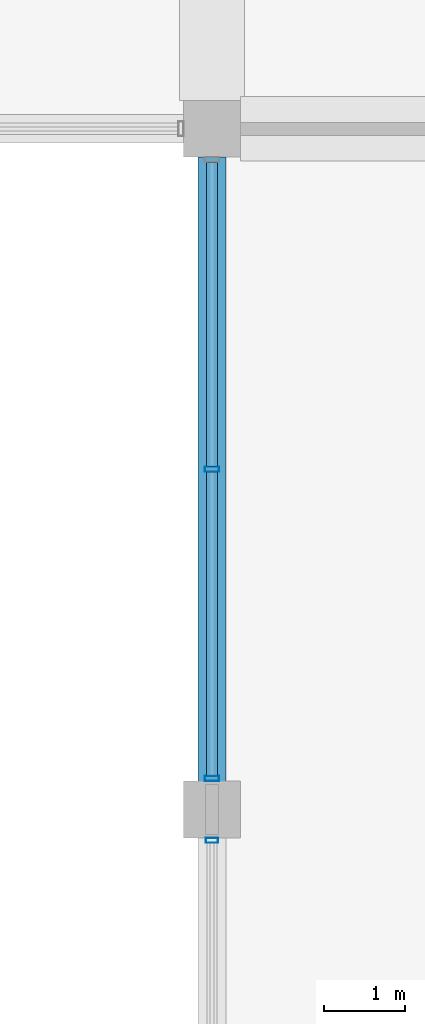
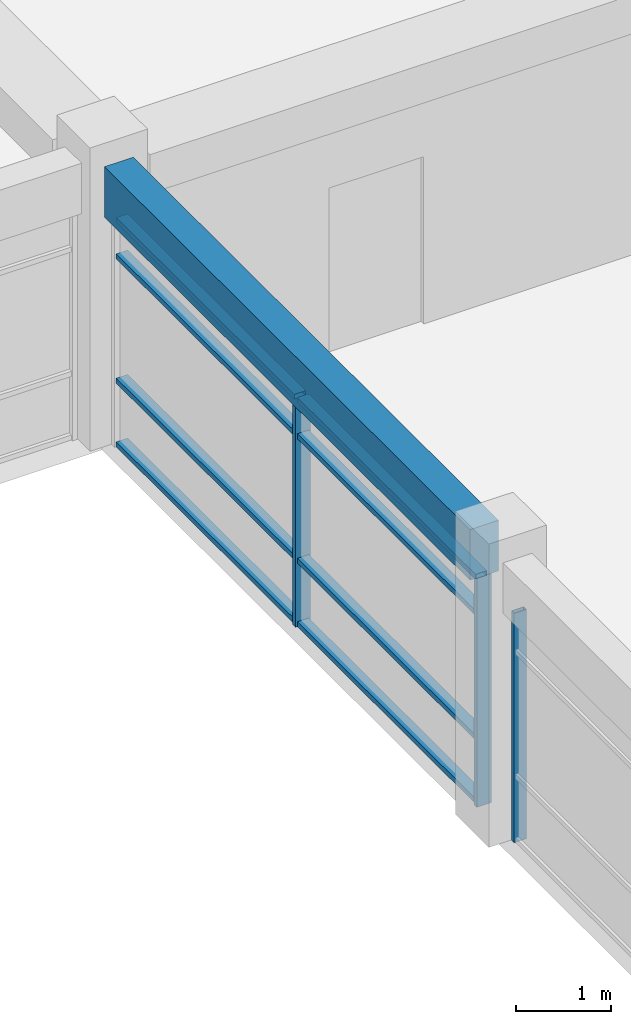
# One storey, part 29 of 72: 11 members, 1 beam, 2 elements without a shape of their own.
"""IFC4 building model written with IfcOpenShell, lengths in metres."""

from ifc_helpers import new_model, si_unit, direction, frame, origin, origin_2d, place, context, subcontext, project, spatial, rectangle, hollow_rectangle, extrude, material, material_profile, profile_set, type_object, element, aggregate, save


model = new_model("IFC4")

# Units and contexts
model_context = context("Model", 3, precision=1e-05, world=origin(), true_north=direction((0.0, 1.0)))
body_context = subcontext(model_context, "Body", "Model", "MODEL_VIEW")
ifc_project = project(units=[si_unit("LENGTHUNIT", "METRE"), si_unit("AREAUNIT", "SQUARE_METRE"), si_unit("VOLUMEUNIT", "CUBIC_METRE"), si_unit("PLANEANGLEUNIT", "RADIAN"), si_unit("MASSUNIT", "GRAM", prefix="KILO"), si_unit("THERMODYNAMICTEMPERATUREUNIT", "KELVIN"), si_unit("POWERUNIT", "WATT")], contexts=[model_context])

# Site, building, storey
site_placement = place(None, origin())
site = spatial("IfcSite", under=ifc_project, at=site_placement, CompositionType="ELEMENT")
building_placement = place(site_placement, origin())
building = spatial("IfcBuilding", under=site, at=building_placement, Name="Srebrne Nadtorze General Hospital", CompositionType="ELEMENT")
storey_placement = place(building_placement, frame((0.0, 0.0, 22.199951171875)))
storey = spatial("IfcBuildingStorey", under=building, at=storey_placement, Name="L05", CompositionType="ELEMENT", Elevation=22.199951171875)

# Curtain wall, member
ifc_material_1 = material(Name="Anodised Aluminium", Category="aluminium")
curtain_wall_type = type_object("IfcCurtainWallType", Name="Unitised curtain wall 7700x2950", PredefinedType="NOTDEFINED", material=ifc_material_1)
curtain_wall_1_placement = place(storey_placement, origin())
curtain_wall_1 = element("IfcCurtainWall", 1, at=curtain_wall_1_placement, inside=storey, type_object=curtain_wall_type, Name="Curtain wall CW-136", PredefinedType="NOTDEFINED")
ifc_material_2 = material(Name="Anodised Aluminium", Category="aluminium")
ifc_material_profile_1 = material_profile(ifc_material_2, hollow_rectangle(XDim=0.06005859375, YDim=0.14990234375, WallThickness=0.00390625, at=origin_2d()), Name="AL-MUL-60x150")
ifc_profile_set_1 = profile_set([ifc_material_profile_1], Name="Anodised Aluminium")
member_type_1 = type_object("IfcMemberType", Name="Curtain mullion 60x150", PredefinedType="MULLION", material=ifc_profile_set_1)
member_1_placement = place(storey_placement, frame((132.60009765625, 16.419921875, 0.0), z_axis=(0.0, 0.0, 1.0), x_axis=(0.0, 1.0, 0.0)))
member_1 = element("IfcMember", 2, at=member_1_placement, type_object=member_type_1, Name="CW-136 mullion 3", PredefinedType="MULLION", context=body_context, shape_type="SweptSolid", body=[
    extrude(hollow_rectangle(XDim=0.06005859375, YDim=0.14990234375, WallThickness=0.00390625, at=origin_2d()), origin(), (0.0, 0.0, 1.0), 2.949951171875),
])
aggregate(curtain_wall_1, [member_1])

# Curtain wall, members
curtain_wall_2_placement = place(storey_placement, origin())
curtain_wall_2 = element("IfcCurtainWall", 3, at=curtain_wall_2_placement, inside=storey, type_object=curtain_wall_type, Name="Curtain wall CW-137", PredefinedType="NOTDEFINED")
ifc_material_3 = material(Name="Anodised Aluminium", Category="aluminium")
ifc_material_profile_2 = material_profile(ifc_material_3, hollow_rectangle(XDim=0.06494140625, YDim=0.179931640625, WallThickness=0.00390625, at=origin_2d()), Name="AL-MUL-65x180")
ifc_profile_set_2 = profile_set([ifc_material_profile_2], Name="Anodised Aluminium")
member_type_2 = type_object("IfcMemberType", Name="Curtain mullion 65x180", PredefinedType="MULLION", material=ifc_profile_set_2)
member_2_placement = place(storey_placement, frame((132.60009765625, 17.1826171875, 0.0), z_axis=(0.0, 0.0, 1.0), x_axis=(0.0, 1.0, 0.0)))
member_2 = element("IfcMember", 4, at=member_2_placement, type_object=member_type_2, Name="CW-137 mullion 1", PredefinedType="MULLION", context=body_context, shape_type="SweptSolid", body=[
    extrude(hollow_rectangle(XDim=0.06494140625, YDim=0.179931640625, WallThickness=0.00390625, at=origin_2d()), origin(), (0.0, 0.0, 1.0), 2.949951171875),
])
member_3_placement = place(storey_placement, frame((132.60009765625, 21.0, 0.0), z_axis=(0.0, 0.0, 1.0), x_axis=(0.0, 1.0, 0.0)))
member_3 = element("IfcMember", 5, at=member_3_placement, type_object=member_type_2, Name="CW-137 mullion 2", PredefinedType="MULLION", context=body_context, shape_type="SweptSolid", body=[
    extrude(hollow_rectangle(XDim=0.06494140625, YDim=0.179931640625, WallThickness=0.00390625, at=origin_2d()), origin(), (0.0, 0.0, 1.0), 2.949951171875),
])
ifc_material_4 = material(Name="Anodised Aluminium", Category="aluminium")
ifc_material_profile_3 = material_profile(ifc_material_4, hollow_rectangle(XDim=0.06494140625, YDim=0.139892578125, WallThickness=0.00390625, at=origin_2d()), Name="AL-TRN-65x140")
ifc_profile_set_3 = profile_set([ifc_material_profile_3], Name="Anodised Aluminium")
member_type_3 = type_object("IfcMemberType", Name="Curtain transom 65x140", PredefinedType="USERDEFINED", material=ifc_profile_set_3)
member_4_placement = place(storey_placement, frame((132.60009765625, 17.215087890625, 0.032470703125), z_axis=(0.0, 1.0, 0.0), x_axis=(0.0, 0.0, 1.0)))
member_4 = element("IfcMember", 6, at=member_4_placement, type_object=member_type_3, Name="CW-137 transom 1.1", ObjectType="TRANSOM", PredefinedType="USERDEFINED", context=body_context, shape_type="SweptSolid", body=[
    extrude(hollow_rectangle(XDim=0.06494140625, YDim=0.139892578125, WallThickness=0.00390625, at=origin_2d()), origin(), (0.0, 0.0, 1.0), 3.75244140625),
])
member_5_placement = place(storey_placement, frame((132.60009765625, 17.215087890625, 0.85009765625), z_axis=(0.0, 1.0, 0.0), x_axis=(0.0, 0.0, 1.0)))
member_5 = element("IfcMember", 7, at=member_5_placement, type_object=member_type_3, Name="CW-137 transom 1.2", ObjectType="TRANSOM", PredefinedType="USERDEFINED", context=body_context, shape_type="SweptSolid", body=[
    extrude(hollow_rectangle(XDim=0.06494140625, YDim=0.139892578125, WallThickness=0.00390625, at=origin_2d()), origin(), (0.0, 0.0, 1.0), 3.75244140625),
])
member_6_placement = place(storey_placement, frame((132.60009765625, 17.215087890625, 2.449951171875), z_axis=(0.0, 1.0, 0.0), x_axis=(0.0, 0.0, 1.0)))
member_6 = element("IfcMember", 8, at=member_6_placement, type_object=member_type_3, Name="CW-137 transom 1.3", ObjectType="TRANSOM", PredefinedType="USERDEFINED", context=body_context, shape_type="SweptSolid", body=[
    extrude(hollow_rectangle(XDim=0.06494140625, YDim=0.139892578125, WallThickness=0.00390625, at=origin_2d()), origin(), (0.0, 0.0, 1.0), 3.75244140625),
])
member_7_placement = place(storey_placement, frame((132.60009765625, 17.215087890625, 2.91748046875), z_axis=(0.0, 1.0, 0.0), x_axis=(0.0, 0.0, 1.0)))
member_7 = element("IfcMember", 9, at=member_7_placement, type_object=member_type_3, Name="CW-137 transom 1.4", ObjectType="TRANSOM", PredefinedType="USERDEFINED", context=body_context, shape_type="SweptSolid", body=[
    extrude(hollow_rectangle(XDim=0.06494140625, YDim=0.139892578125, WallThickness=0.00390625, at=origin_2d()), origin(), (0.0, 0.0, 1.0), 3.75244140625),
])
member_8_placement = place(storey_placement, frame((132.60009765625, 21.032470703125, 0.032470703125), z_axis=(0.0, 1.0, 0.0), x_axis=(0.0, 0.0, 1.0)))
member_8 = element("IfcMember", 10, at=member_8_placement, type_object=member_type_3, Name="CW-137 transom 2.1", ObjectType="TRANSOM", PredefinedType="USERDEFINED", context=body_context, shape_type="SweptSolid", body=[
    extrude(hollow_rectangle(XDim=0.06494140625, YDim=0.139892578125, WallThickness=0.00390625, at=origin_2d()), origin(), (0.0, 0.0, 1.0), 3.75244140625),
])
member_9_placement = place(storey_placement, frame((132.60009765625, 21.032470703125, 0.85009765625), z_axis=(0.0, 1.0, 0.0), x_axis=(0.0, 0.0, 1.0)))
member_9 = element("IfcMember", 11, at=member_9_placement, type_object=member_type_3, Name="CW-137 transom 2.2", ObjectType="TRANSOM", PredefinedType="USERDEFINED", context=body_context, shape_type="SweptSolid", body=[
    extrude(hollow_rectangle(XDim=0.06494140625, YDim=0.139892578125, WallThickness=0.00390625, at=origin_2d()), origin(), (0.0, 0.0, 1.0), 3.75244140625),
])
member_10_placement = place(storey_placement, frame((132.60009765625, 21.032470703125, 2.449951171875), z_axis=(0.0, 1.0, 0.0), x_axis=(0.0, 0.0, 1.0)))
member_10 = element("IfcMember", 12, at=member_10_placement, type_object=member_type_3, Name="CW-137 transom 2.3", ObjectType="TRANSOM", PredefinedType="USERDEFINED", context=body_context, shape_type="SweptSolid", body=[
    extrude(hollow_rectangle(XDim=0.06494140625, YDim=0.139892578125, WallThickness=0.00390625, at=origin_2d()), origin(), (0.0, 0.0, 1.0), 3.75244140625),
])
member_11_placement = place(storey_placement, frame((132.60009765625, 21.032470703125, 2.91748046875), z_axis=(0.0, 1.0, 0.0), x_axis=(0.0, 0.0, 1.0)))
member_11 = element("IfcMember", 13, at=member_11_placement, type_object=member_type_3, Name="CW-137 transom 2.4", ObjectType="TRANSOM", PredefinedType="USERDEFINED", context=body_context, shape_type="SweptSolid", body=[
    extrude(hollow_rectangle(XDim=0.06494140625, YDim=0.139892578125, WallThickness=0.00390625, at=origin_2d()), origin(), (0.0, 0.0, 1.0), 3.75244140625),
])
aggregate(curtain_wall_2, [member_2, member_3, member_4, member_5, member_6, member_7, member_8, member_9, member_10, member_11])

# Beam
ifc_material_5 = material(Name="Concrete C35/45", Category="concrete")
ifc_material_profile_4 = material_profile(ifc_material_5, rectangle(XDim=0.35009765625, YDim=0.64990234375, at=origin_2d()), Name="RC-BM-350x650")
ifc_profile_set_4 = profile_set([ifc_material_profile_4], Name="Concrete C35/45")
beam_type = type_object("IfcBeamType", Name="Edge beam RC 350x650", PredefinedType="BEAM", material=ifc_profile_set_4)
beam_placement = place(storey_placement, frame((132.60009765625, 17.14990234375, 3.275146484375), z_axis=(0.0, 1.0, 0.0), x_axis=(-1.0, 0.0, 0.0)))
element("IfcBeam", 14, at=beam_placement, inside=storey, type_object=beam_type, Name="Beam BM-L05-Y-1116", PredefinedType="BEAM", context=body_context, shape_type="SweptSolid", body=[
    extrude(rectangle(XDim=0.35009765625, YDim=0.64990234375, at=origin_2d()), origin(), (0.0, 0.0, 1.0), 7.7001953125),
])

save(model, "model.ifc")
